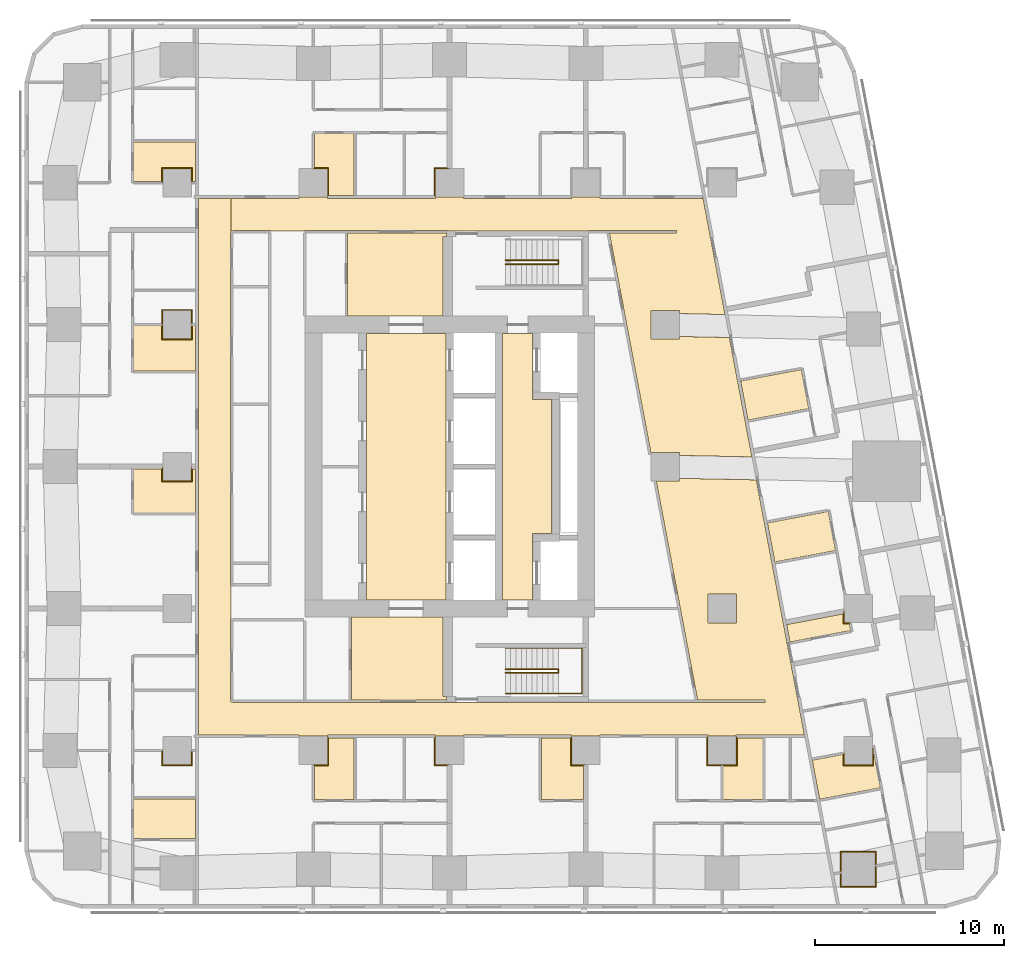
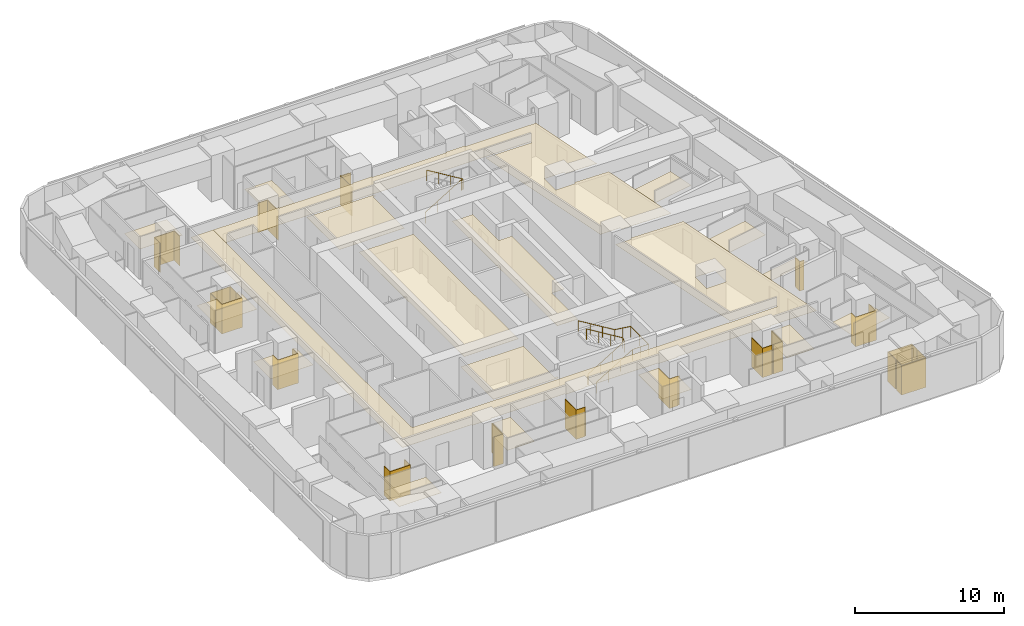
# One storey, part 14 of 15: 34 coverings, 3 railings.
"""IFC4 building model written with IfcOpenShell, lengths in metres."""

from ifc_helpers import new_model, si_unit, direction, frame, origin, origin_2d, place, context, subcontext, project, spatial, polyline, circle, outline, extrude, material, layer, layer_set, type_object, element, save


model = new_model("IFC4")

# Units and contexts
model_context = context("Model", 3, precision=1e-05, world=origin(), true_north=direction((0.0, 1.0)))
body_context = subcontext(model_context, "Body", "Model", "MODEL_VIEW")
ifc_project = project(units=[si_unit("LENGTHUNIT", "METRE"), si_unit("AREAUNIT", "SQUARE_METRE"), si_unit("VOLUMEUNIT", "CUBIC_METRE"), si_unit("PLANEANGLEUNIT", "RADIAN"), si_unit("MASSUNIT", "GRAM", prefix="KILO")], contexts=[model_context])

# Site, building, storey
site_placement = place(None, origin())
site = spatial("IfcSite", under=ifc_project, at=site_placement, CompositionType="ELEMENT")
building_placement = place(site_placement, origin())
building = spatial("IfcBuilding", under=site, at=building_placement, Name="Sheger Commons Tower", CompositionType="ELEMENT")
storey_placement = place(building_placement, frame((0.0, 0.0, 177.050048828125)))
storey = spatial("IfcBuildingStorey", under=building, at=storey_placement, Name="L45", CompositionType="ELEMENT", Elevation=177.050048828125)

# Railings
ifc_material_1 = material(Name="Steel handrail, black powder-coated", Category="steel")
railing_type = type_object("IfcRailingType", Name="HANDRAIL 900", PredefinedType="HANDRAIL", material=ifc_material_1)
railing_1_placement = place(storey_placement, frame((24.550048828125, 11.60009765625, 0.17041015625)))
element("IfcRailing", 1, at=railing_1_placement, inside=storey, type_object=railing_type, Name="Stair S1 handrail L45", PredefinedType="HANDRAIL", context=body_context, shape_type="SweptSolid", body=[
    extrude(circle(Radius=0.02392578125, at=origin_2d()), frame((0.0, 0.0, 0.8759765625), z_axis=(0.854169791009, 0.0, 0.51999420009), x_axis=(0.0, 1.0, 0.0)), (0.0, 0.0, 1.0), 3.278076171875),
    extrude(circle(Radius=0.02392578125, at=origin_2d()), frame((2.800048828125, 0.0, 2.58056640625), z_axis=(0.0, 0.761090297175, 0.648645943136), x_axis=(-1.0, 0.0, 0.0)), (0.0, 0.0, 1.0), 0.2626953125),
    extrude(circle(Radius=0.02392578125, at=origin_2d()), frame((2.800048828125, 0.199951171875, 2.7509765625), z_axis=(-0.854169791009, 0.0, 0.51999420009), x_axis=(0.0, -1.0, 0.0)), (0.0, 0.0, 1.0), 3.278076171875),
    extrude(circle(Radius=0.02099609375, at=origin_2d()), origin(), (0.0, 0.0, 1.0), 0.851806640625),
    extrude(circle(Radius=0.02099609375, at=origin_2d()), frame((0.933349609375, 0.0, 0.568115234375)), (0.0, 0.0, 1.0), 0.851806640625),
    extrude(circle(Radius=0.02099609375, at=origin_2d()), frame((1.86669921875, 0.0, 1.136474609375)), (0.0, 0.0, 1.0), 0.851806640625),
    extrude(circle(Radius=0.02099609375, at=origin_2d()), frame((2.800048828125, 0.0, 1.70458984375)), (0.0, 0.0, 1.0), 0.851806640625),
    extrude(circle(Radius=0.02099609375, at=origin_2d()), frame((2.800048828125, 0.199951171875, 1.875)), (0.0, 0.0, 1.0), 0.851806640625),
    extrude(circle(Radius=0.02099609375, at=origin_2d()), frame((1.86669921875, 0.199951171875, 2.443115234375)), (0.0, 0.0, 1.0), 0.851806640625),
    extrude(circle(Radius=0.02099609375, at=origin_2d()), frame((0.933349609375, 0.199951171875, 3.011474609375)), (0.0, 0.0, 1.0), 0.851806640625),
    extrude(circle(Radius=0.02099609375, at=origin_2d()), frame((0.0, 0.199951171875, 3.57958984375)), (0.0, 0.0, 1.0), 0.851806640625),
])
railing_2_placement = place(storey_placement, frame((24.550048828125, 10.5, 0.17041015625)))
element("IfcRailing", 2, at=railing_2_placement, inside=storey, type_object=railing_type, Name="Stair S1 handrail L45", PredefinedType="HANDRAIL", context=body_context, shape_type="SweptSolid", body=[
    extrude(circle(Radius=0.02392578125, at=origin_2d()), frame((0.0, 0.0, 0.8759765625), z_axis=(0.854169791009, 0.0, 0.51999420009), x_axis=(0.0, 1.0, 0.0)), (0.0, 0.0, 1.0), 3.278076171875),
    extrude(circle(Radius=0.02392578125, at=origin_2d()), frame((2.800048828125, 0.0, 2.58056640625), z_axis=(1.0, 0.0, 0.0), x_axis=(0.0, 1.0, 0.0)), (0.0, 0.0, 1.0), 1.25),
    extrude(circle(Radius=0.02392578125, at=origin_2d()), frame((4.050048828125, 0.0, 2.58056640625), z_axis=(0.0, 1.0, 0.0), x_axis=(-1.0, 0.0, 0.0)), (0.0, 0.0, 1.0), 2.39990234375),
    extrude(circle(Radius=0.02392578125, at=origin_2d()), frame((4.050048828125, 2.39990234375, 2.58056640625), z_axis=(-0.990834877927, 0.0, 0.135078661092), x_axis=(0.0, -1.0, 0.0)), (0.0, 0.0, 1.0), 1.261474609375),
    extrude(circle(Radius=0.02392578125, at=origin_2d()), frame((2.800048828125, 2.39990234375, 2.7509765625), z_axis=(-0.854169791009, 0.0, 0.51999420009), x_axis=(0.0, -1.0, 0.0)), (0.0, 0.0, 1.0), 3.278076171875),
    extrude(circle(Radius=0.02099609375, at=origin_2d()), origin(), (0.0, 0.0, 1.0), 0.851806640625),
    extrude(circle(Radius=0.02099609375, at=origin_2d()), frame((0.933349609375, 0.0, 0.568115234375)), (0.0, 0.0, 1.0), 0.851806640625),
    extrude(circle(Radius=0.02099609375, at=origin_2d()), frame((1.86669921875, 0.0, 1.136474609375)), (0.0, 0.0, 1.0), 0.851806640625),
    extrude(circle(Radius=0.02099609375, at=origin_2d()), frame((2.800048828125, 0.0, 1.70458984375)), (0.0, 0.0, 1.0), 0.851806640625),
    extrude(circle(Radius=0.02099609375, at=origin_2d()), frame((3.425048828125, 0.0, 1.70458984375)), (0.0, 0.0, 1.0), 0.851806640625),
    extrude(circle(Radius=0.02099609375, at=origin_2d()), frame((4.050048828125, 0.0, 1.70458984375)), (0.0, 0.0, 1.0), 0.851806640625),
    extrude(circle(Radius=0.02099609375, at=origin_2d()), frame((4.050048828125, 1.199951171875, 1.70458984375)), (0.0, 0.0, 1.0), 0.851806640625),
    extrude(circle(Radius=0.02099609375, at=origin_2d()), frame((4.050048828125, 2.39990234375, 1.70458984375)), (0.0, 0.0, 1.0), 0.851806640625),
    extrude(circle(Radius=0.02099609375, at=origin_2d()), frame((3.425048828125, 2.39990234375, 1.789794921875)), (0.0, 0.0, 1.0), 0.851806640625),
    extrude(circle(Radius=0.02099609375, at=origin_2d()), frame((2.800048828125, 2.39990234375, 1.875)), (0.0, 0.0, 1.0), 0.851806640625),
    extrude(circle(Radius=0.02099609375, at=origin_2d()), frame((1.86669921875, 2.39990234375, 2.443115234375)), (0.0, 0.0, 1.0), 0.851806640625),
    extrude(circle(Radius=0.02099609375, at=origin_2d()), frame((0.933349609375, 2.39990234375, 3.011474609375)), (0.0, 0.0, 1.0), 0.851806640625),
    extrude(circle(Radius=0.02099609375, at=origin_2d()), frame((0.0, 2.39990234375, 3.57958984375)), (0.0, 0.0, 1.0), 0.851806640625),
])
railing_3_placement = place(storey_placement, frame((24.550048828125, 33.39990234375, 0.17041015625)))
element("IfcRailing", 3, at=railing_3_placement, inside=storey, type_object=railing_type, Name="Stair S2 handrail L45", PredefinedType="HANDRAIL", context=body_context, shape_type="SweptSolid", body=[
    extrude(circle(Radius=0.02392578125, at=origin_2d()), frame((0.0, 0.0, 0.8759765625), z_axis=(0.854169791009, 0.0, 0.51999420009), x_axis=(0.0, 1.0, 0.0)), (0.0, 0.0, 1.0), 3.278076171875),
    extrude(circle(Radius=0.02392578125, at=origin_2d()), frame((2.800048828125, 0.0, 2.58056640625), z_axis=(0.0, -0.761090297175, 0.648645943136), x_axis=(1.0, 0.0, 0.0)), (0.0, 0.0, 1.0), 0.2626953125),
    extrude(circle(Radius=0.02392578125, at=origin_2d()), frame((2.800048828125, -0.199951171875, 2.7509765625), z_axis=(-0.854169791009, 0.0, 0.51999420009), x_axis=(0.0, -1.0, 0.0)), (0.0, 0.0, 1.0), 3.278076171875),
    extrude(circle(Radius=0.02099609375, at=origin_2d()), origin(), (0.0, 0.0, 1.0), 0.851806640625),
    extrude(circle(Radius=0.02099609375, at=origin_2d()), frame((0.933349609375, 0.0, 0.568115234375)), (0.0, 0.0, 1.0), 0.851806640625),
    extrude(circle(Radius=0.02099609375, at=origin_2d()), frame((1.86669921875, 0.0, 1.136474609375)), (0.0, 0.0, 1.0), 0.851806640625),
    extrude(circle(Radius=0.02099609375, at=origin_2d()), frame((2.800048828125, 0.0, 1.70458984375)), (0.0, 0.0, 1.0), 0.851806640625),
    extrude(circle(Radius=0.02099609375, at=origin_2d()), frame((2.800048828125, -0.199951171875, 1.875)), (0.0, 0.0, 1.0), 0.851806640625),
    extrude(circle(Radius=0.02099609375, at=origin_2d()), frame((1.86669921875, -0.199951171875, 2.443115234375)), (0.0, 0.0, 1.0), 0.851806640625),
    extrude(circle(Radius=0.02099609375, at=origin_2d()), frame((0.933349609375, -0.199951171875, 3.011474609375)), (0.0, 0.0, 1.0), 0.851806640625),
    extrude(circle(Radius=0.02099609375, at=origin_2d()), frame((0.0, -0.199951171875, 3.57958984375)), (0.0, 0.0, 1.0), 0.851806640625),
])

# Coverings
ifc_material_2 = material(Name="Moisture-resistant gypsum plasterboard 15 mm on a suspended galvanised steel grid", Category="steel")
ifc_layer_1 = layer(ifc_material_2, 0.014892578125)
ifc_layer_set_1 = layer_set([ifc_layer_1], Name="MOISTURE-RESISTANT CEILING 15")
covering_type_1 = type_object("IfcCoveringType", Name="MOISTURE-RESISTANT CEILING 15", PredefinedType="CEILING", material=ifc_layer_set_1)
covering_1_placement = place(storey_placement, frame((0.0, 0.0, 2.39990234375)))
element("IfcCovering", 4, at=covering_1_placement, inside=storey, type_object=covering_type_1, Name="L45-01.B3 ceiling", PredefinedType="CEILING", context=body_context, shape_type="SweptSolid", body=[
    extrude(outline(polyline([(4.905029296875, 2.843994140625), (8.169921875, 2.843994140625), (8.169921875, 4.944091796875), (4.905029296875, 4.944091796875), (4.905029296875, 2.843994140625)])), origin(), (0.0, 0.0, 1.0), 0.01513671875),
])
covering_2_placement = place(storey_placement, frame((0.0, 0.0, 2.39990234375)))
element("IfcCovering", 5, at=covering_2_placement, inside=storey, type_object=covering_type_1, Name="L45-02.B1 ceiling", PredefinedType="CEILING", context=body_context, shape_type="SweptSolid", body=[
    extrude(outline(polyline([(4.905029296875, 20.053955078125), (8.169921875, 20.053955078125), (8.169921875, 22.3701171875), (7.955078125, 22.3701171875), (7.955078125, 21.7451171875), (6.445068359375, 21.7451171875), (6.445068359375, 22.3701171875), (4.905029296875, 22.3701171875), (4.905029296875, 20.053955078125)])), origin(), (0.0, 0.0, 1.0), 0.01513671875),
])
covering_3_placement = place(storey_placement, frame((0.0, 0.0, 2.39990234375)))
element("IfcCovering", 6, at=covering_3_placement, inside=storey, type_object=covering_type_1, Name="L45-03.B1 ceiling", PredefinedType="CEILING", context=body_context, shape_type="SweptSolid", body=[
    extrude(outline(polyline([(4.905029296875, 27.553955078125), (8.169921875, 27.553955078125), (8.169921875, 29.945068359375), (7.955078125, 29.945068359375), (7.955078125, 29.2451171875), (6.445068359375, 29.2451171875), (6.445068359375, 29.945068359375), (4.905029296875, 29.945068359375), (4.905029296875, 27.553955078125)])), origin(), (0.0, 0.0, 1.0), 0.01513671875),
])
covering_4_placement = place(storey_placement, frame((0.0, 0.0, 2.39990234375)))
element("IfcCovering", 7, at=covering_4_placement, inside=storey, type_object=covering_type_1, Name="L45-04.B1 ceiling", PredefinedType="CEILING", context=body_context, shape_type="SweptSolid", body=[
    extrude(outline(polyline([(4.905029296875, 37.554931640625), (6.445068359375, 37.554931640625), (6.445068359375, 38.2548828125), (7.955078125, 38.2548828125), (7.955078125, 37.554931640625), (8.169921875, 37.554931640625), (8.169921875, 39.655029296875), (4.905029296875, 39.655029296875), (4.905029296875, 37.554931640625)])), origin(), (0.0, 0.0, 1.0), 0.01513671875),
])
covering_5_placement = place(storey_placement, frame((0.0, 0.0, 2.39990234375)))
element("IfcCovering", 8, at=covering_5_placement, inside=storey, type_object=covering_type_1, Name="L45-05.B1 ceiling", PredefinedType="CEILING", context=body_context, shape_type="SweptSolid", body=[
    extrude(outline(polyline([(14.455078125, 4.905029296875), (16.554931640625, 4.905029296875), (16.554931640625, 8.169921875), (15.155029296875, 8.169921875), (15.155029296875, 6.7451171875), (14.455078125, 6.7451171875), (14.455078125, 4.905029296875)])), origin(), (0.0, 0.0, 1.0), 0.01513671875),
])
covering_6_placement = place(storey_placement, frame((0.0, 0.0, 2.39990234375)))
element("IfcCovering", 9, at=covering_6_placement, inside=storey, type_object=covering_type_1, Name="L45-06.B1 ceiling", PredefinedType="CEILING", context=body_context, shape_type="SweptSolid", body=[
    extrude(outline(polyline([(26.4541015625, 4.905029296875), (28.669921875, 4.905029296875), (28.669921875, 6.7451171875), (28.044921875, 6.7451171875), (28.044921875, 8.169921875), (26.4541015625, 8.169921875), (26.4541015625, 4.905029296875)])), origin(), (0.0, 0.0, 1.0), 0.01513671875),
])
covering_7_placement = place(storey_placement, frame((0.0, 0.0, 2.39990234375)))
element("IfcCovering", 10, at=covering_7_placement, inside=storey, type_object=covering_type_1, Name="L45-07.B2 ceiling", PredefinedType="CEILING", context=body_context, shape_type="SweptSolid", body=[
    extrude(outline(polyline([(36.054931640625, 4.905029296875), (38.155029296875, 4.905029296875), (38.155029296875, 8.169921875), (36.7548828125, 8.169921875), (36.7548828125, 6.7451171875), (36.054931640625, 6.7451171875), (36.054931640625, 4.905029296875)])), origin(), (0.0, 0.0, 1.0), 0.01513671875),
])
covering_8_placement = place(storey_placement, frame((0.0, 0.0, 2.39990234375)))
element("IfcCovering", 11, at=covering_8_placement, inside=storey, type_object=covering_type_1, Name="L45-09.B1 ceiling", PredefinedType="CEILING", context=body_context, shape_type="SweptSolid", body=[
    extrude(outline(polyline([(37.37109375, 24.958984375), (40.5791015625, 25.56494140625), (40.18896484375, 27.62890625), (36.98193359375, 27.02294921875), (37.37109375, 24.958984375)])), origin(), (0.0, 0.0, 1.0), 0.01513671875),
])
covering_9_placement = place(storey_placement, frame((0.0, 0.0, 2.39990234375)))
element("IfcCovering", 12, at=covering_9_placement, inside=storey, type_object=covering_type_1, Name="L45-10.B1 ceiling", PredefinedType="CEILING", context=body_context, shape_type="SweptSolid", body=[
    extrude(outline(polyline([(38.7880859375, 17.4599609375), (41.99609375, 18.06494140625), (41.60595703125, 20.12890625), (38.39794921875, 19.52294921875), (38.7880859375, 17.4599609375)])), origin(), (0.0, 0.0, 1.0), 0.01513671875),
])
covering_10_placement = place(storey_placement, frame((0.0, 0.0, 2.39990234375)))
element("IfcCovering", 13, at=covering_10_placement, inside=storey, type_object=covering_type_1, Name="L45-11.B1 ceiling", PredefinedType="CEILING", context=body_context, shape_type="SweptSolid", body=[
    extrude(outline(polyline([(39.5859375, 13.23193359375), (42.794921875, 13.837890625), (42.719970703125, 14.235107421875), (42.762939453125, 14.242919921875), (42.762939453125, 14.2451171875), (42.445068359375, 14.2451171875), (42.445068359375, 14.72509765625), (39.4130859375, 14.152099609375), (39.5859375, 13.23193359375)])), origin(), (0.0, 0.0, 1.0), 0.01513671875),
])
covering_11_placement = place(storey_placement, frame((0.0, 0.0, 2.39990234375)))
element("IfcCovering", 14, at=covering_11_placement, inside=storey, type_object=covering_type_1, Name="L45-12.B1 ceiling", PredefinedType="CEILING", context=body_context, shape_type="SweptSolid", body=[
    extrude(outline(polyline([(41.156005859375, 4.9208984375), (44.364013671875, 5.527099609375), (43.964111328125, 7.64501953125), (43.955078125, 7.64306640625), (43.955078125, 6.7451171875), (42.445068359375, 6.7451171875), (42.445068359375, 7.302001953125), (40.76611328125, 6.985107421875), (41.156005859375, 4.9208984375)])), origin(), (0.0, 0.0, 1.0), 0.01513671875),
])
covering_12_placement = place(storey_placement, frame((0.0, 0.0, 2.39990234375)))
element("IfcCovering", 15, at=covering_12_placement, inside=storey, type_object=covering_type_1, Name="L45-13.B1 ceiling", PredefinedType="CEILING", context=body_context, shape_type="SweptSolid", body=[
    extrude(outline(polyline([(15.155029296875, 36.830078125), (16.554931640625, 36.830078125), (16.554931640625, 40.094970703125), (14.455078125, 40.094970703125), (14.455078125, 38.2548828125), (15.155029296875, 38.2548828125), (15.155029296875, 36.830078125)])), origin(), (0.0, 0.0, 1.0), 0.01513671875),
])
ifc_material_3 = material(Name="Gypsum plasterboard 15 mm on a suspended steel grid", Category="steel")
ifc_layer_2 = layer(ifc_material_3, 0.014892578125)
ifc_layer_set_2 = layer_set([ifc_layer_2], Name="SUSPENDED CEILING 15")
covering_type_2 = type_object("IfcCoveringType", Name="SUSPENDED CEILING 15", PredefinedType="CEILING", material=ifc_layer_set_2)
covering_13_placement = place(storey_placement, frame((0.0, 0.0, 2.699951171875)))
element("IfcCovering", 16, at=covering_13_placement, inside=storey, type_object=covering_type_2, Name="L45-CO ceiling", PredefinedType="CEILING", context=body_context, shape_type="SweptSolid", body=[
    extrude(outline(polyline([(13.654052734375, 8.2548828125), (15.14599609375, 8.2548828125), (15.14599609375, 8.330078125), (20.85400390625, 8.330078125), (20.85400390625, 8.2548828125), (22.345947265625, 8.2548828125), (22.345947265625, 8.330078125), (28.053955078125, 8.330078125), (28.053955078125, 8.2548828125), (29.5458984375, 8.2548828125), (29.5458984375, 8.330078125), (35.25390625, 8.330078125), (35.25390625, 8.2548828125), (36.74609375, 8.2548828125), (36.74609375, 8.330078125), (40.35009765625, 8.330078125), (37.805908203125, 21.798095703125), (33.7548828125, 21.8798828125), (33.7548828125, 21.7451171875), (32.52099609375, 21.7451171875), (34.705078125, 10.181884765625), (34.66796875, 10.175048828125), (34.669921875, 10.16796875), (38.27001953125, 10.16796875), (38.27001953125, 10.031982421875), (28.945068359375, 10.031982421875), (28.945068359375, 10.044921875), (21.455078125, 10.044921875), (21.455078125, 10.031982421875), (10.156982421875, 10.031982421875), (10.156982421875, 10.050048828125), (10.050048828125, 10.050048828125), (10.050048828125, 10.156982421875), (10.031982421875, 10.156982421875), (10.031982421875, 14.455078125), (10.050048828125, 14.455078125), (10.050048828125, 16.195068359375), (10.031982421875, 16.195068359375), (10.031982421875, 34.843017578125), (10.050048828125, 34.843017578125), (10.050048828125, 34.947998046875), (10.048095703125, 34.947998046875), (10.048095703125, 36.669921875), (8.330078125, 36.669921875), (8.330078125, 8.330078125), (13.654052734375, 8.330078125), (13.654052734375, 8.2548828125)]), holes=[polyline([(36.7548828125, 15.7548828125), (36.7548828125, 14.2451171875), (35.2451171875, 14.2451171875), (35.2451171875, 15.7548828125), (36.7548828125, 15.7548828125)])]), origin(), (0.0, 0.0, 1.0), 0.014892578125),
])
covering_14_placement = place(storey_placement, frame((0.0, 0.0, 2.699951171875)))
element("IfcCovering", 17, at=covering_14_placement, inside=storey, type_object=covering_type_2, Name="L45-CO ceiling", PredefinedType="CEILING", context=body_context, shape_type="SweptSolid", body=[
    extrude(outline(polyline([(37.575927734375, 23.011962890625), (36.385009765625, 29.318115234375), (33.7548828125, 29.3779296875), (33.7548828125, 29.2451171875), (32.2451171875, 29.2451171875), (32.2451171875, 30.7548828125), (33.7548828125, 30.7548828125), (33.7548828125, 30.587890625), (36.156005859375, 30.533935546875), (34.98193359375, 36.75), (34.97802734375, 36.75), (34.97802734375, 36.669921875), (33.572998046875, 36.669921875), (33.568115234375, 34.969970703125), (33.568115234375, 36.669921875), (29.5458984375, 36.669921875), (29.5458984375, 36.7451171875), (28.053955078125, 36.7451171875), (28.053955078125, 36.669921875), (22.345947265625, 36.669921875), (22.345947265625, 36.7451171875), (20.85400390625, 36.7451171875), (20.85400390625, 36.669921875), (15.14599609375, 36.669921875), (15.14599609375, 36.7451171875), (13.654052734375, 36.7451171875), (13.654052734375, 36.669921875), (10.052978515625, 36.669921875), (10.052978515625, 34.949951171875), (10.156982421875, 34.949951171875), (10.156982421875, 34.968017578125), (12.155029296875, 34.968017578125), (12.155029296875, 34.949951171875), (13.945068359375, 34.949951171875), (13.945068359375, 34.968017578125), (21.455078125, 34.968017578125), (21.455078125, 34.949951171875), (28.945068359375, 34.949951171875), (28.945068359375, 34.968017578125), (33.568115234375, 34.968017578125), (33.5849609375, 34.968017578125), (33.5849609375, 34.83203125), (30.048095703125, 34.83203125), (32.242919921875, 23.214111328125), (32.2451171875, 23.214111328125), (32.2451171875, 23.2548828125), (33.7548828125, 23.2548828125), (33.7548828125, 23.090087890625), (37.575927734375, 23.011962890625)])), origin(), (0.0, 0.0, 1.0), 0.014892578125),
])
covering_15_placement = place(storey_placement, frame((0.0, 0.0, 2.699951171875)))
element("IfcCovering", 18, at=covering_15_placement, inside=storey, type_object=covering_type_2, Name="L45-SVS1 ceiling", PredefinedType="CEILING", context=body_context, shape_type="SweptSolid", body=[
    extrude(outline(polyline([(16.406982421875, 10.16796875), (21.445068359375, 10.16796875), (21.445068359375, 10.344970703125), (21.2451171875, 10.344970703125), (21.2451171875, 14.544921875), (16.406982421875, 14.544921875), (16.406982421875, 10.16796875)])), origin(), (0.0, 0.0, 1.0), 0.014892578125),
])
covering_16_placement = place(storey_placement, frame((0.0, 0.0, 2.699951171875)))
element("IfcCovering", 19, at=covering_16_placement, inside=storey, type_object=covering_type_2, Name="L45-SVN1 ceiling", PredefinedType="CEILING", context=body_context, shape_type="SweptSolid", body=[
    extrude(outline(polyline([(16.217041015625, 30.455078125), (21.2451171875, 30.455078125), (21.2451171875, 34.655029296875), (21.445068359375, 34.655029296875), (21.445068359375, 34.83203125), (16.217041015625, 34.83203125), (16.217041015625, 30.455078125)])), origin(), (0.0, 0.0, 1.0), 0.014892578125),
])
covering_17_placement = place(storey_placement, frame((0.0, 0.0, 2.699951171875)))
element("IfcCovering", 20, at=covering_17_placement, inside=storey, type_object=covering_type_2, Name="L45-LL ceiling", PredefinedType="CEILING", context=body_context, shape_type="SweptSolid", body=[
    extrude(outline(polyline([(17.205078125, 15.455078125), (21.39990234375, 15.455078125), (21.39990234375, 29.544921875), (17.205078125, 29.544921875), (17.205078125, 15.455078125)])), origin(), (0.0, 0.0, 1.0), 0.014892578125),
])
covering_18_placement = place(storey_placement, frame((0.0, 0.0, 2.699951171875)))
element("IfcCovering", 21, at=covering_18_placement, inside=storey, type_object=covering_type_2, Name="L45-FL ceiling", PredefinedType="CEILING", context=body_context, shape_type="SweptSolid", body=[
    extrude(outline(polyline([(24.405029296875, 15.455078125), (25.9951171875, 15.455078125), (25.9951171875, 18.955078125), (26.9951171875, 18.955078125), (26.9951171875, 26.044921875), (25.9951171875, 26.044921875), (25.9951171875, 29.544921875), (24.405029296875, 29.544921875), (24.405029296875, 15.455078125)])), origin(), (0.0, 0.0, 1.0), 0.014892578125),
])
ifc_material_4 = material(Name="Moisture-resistant gypsum board 12.5 mm on 25 mm treated timber battens, tanked and tiled", Category="wood")
ifc_layer_3 = layer(ifc_material_4, 0.050048828125)
ifc_layer_set_3 = layer_set([ifc_layer_3], Name="WET-ROOM COLUMN LINING")
covering_type_3 = type_object("IfcCoveringType", Name="WET-ROOM COLUMN LINING", PredefinedType="CLADDING", material=ifc_layer_set_3)
covering_19_placement = place(storey_placement, origin())
element("IfcCovering", 22, at=covering_19_placement, inside=storey, type_object=covering_type_3, Name="Laundry room column lining C8 L45", PredefinedType="CLADDING", context=body_context, shape_type="SweptSolid", body=[
    extrude(outline(polyline([(44.14990234375, 2.175048828125), (44.14990234375, 1.455078125), (44.10107421875, 1.446044921875), (44.110107421875, 1.39697265625), (44.10009765625, 1.39501953125), (44.10009765625, 2.125), (42.300048828125, 2.125), (42.300048828125, 1.054931640625), (42.2900390625, 1.052978515625), (42.281005859375, 1.10205078125), (42.25, 1.095947265625), (42.25, 2.175048828125), (44.14990234375, 2.175048828125)])), origin(), (0.0, 0.0, 1.0), 2.39990234375),
])
covering_20_placement = place(storey_placement, origin())
element("IfcCovering", 23, at=covering_20_placement, inside=storey, type_object=covering_type_3, Name="Laundry room column lining C8 L45", PredefinedType="CLADDING", context=body_context, shape_type="SweptSolid", body=[
    extrude(outline(polyline([(42.300048828125, 1.054931640625), (42.300048828125, 0.324951171875), (44.10009765625, 0.324951171875), (44.10009765625, 1.39501953125), (44.110107421875, 1.39697265625), (44.118896484375, 1.347900390625), (44.14990234375, 1.35400390625), (44.14990234375, 0.27490234375), (42.25, 0.27490234375), (42.25, 0.9951171875), (42.299072265625, 1.00390625), (42.2900390625, 1.052978515625), (42.300048828125, 1.054931640625)])), origin(), (0.0, 0.0, 1.0), 2.39990234375),
])
covering_21_placement = place(storey_placement, origin())
element("IfcCovering", 24, at=covering_21_placement, inside=storey, type_object=covering_type_3, Name="Laundry room column lining C10 L45", PredefinedType="CLADDING", context=body_context, shape_type="SweptSolid", body=[
    extrude(outline(polyline([(6.449951171875, 7.5), (6.449951171875, 6.75), (7.949951171875, 6.75), (7.949951171875, 7.5), (7.950927734375, 7.5), (7.950927734375, 7.449951171875), (8.0, 7.449951171875), (8.0, 6.699951171875), (6.39990234375, 6.699951171875), (6.39990234375, 7.449951171875), (6.448974609375, 7.449951171875), (6.448974609375, 7.5), (6.449951171875, 7.5)])), origin(), (0.0, 0.0, 1.0), 2.39990234375),
])
covering_22_placement = place(storey_placement, origin())
element("IfcCovering", 25, at=covering_22_placement, inside=storey, type_object=covering_type_3, Name="Bathroom column lining C10 L45", PredefinedType="CLADDING", context=body_context, shape_type="SweptSolid", body=[
    extrude(outline(polyline([(14.449951171875, 6.699951171875), (14.449951171875, 6.7490234375), (14.39990234375, 6.7490234375), (14.39990234375, 6.75), (15.14990234375, 6.75), (15.14990234375, 8.25), (15.15087890625, 8.25), (15.15087890625, 8.175048828125), (15.199951171875, 8.175048828125), (15.199951171875, 6.699951171875), (14.449951171875, 6.699951171875)])), origin(), (0.0, 0.0, 1.0), 2.39990234375),
])
covering_23_placement = place(storey_placement, origin())
element("IfcCovering", 26, at=covering_23_placement, inside=storey, type_object=covering_type_3, Name="Laundry room column lining C10 L45", PredefinedType="CLADDING", context=body_context, shape_type="SweptSolid", body=[
    extrude(outline(polyline([(20.85009765625, 8.25), (20.85009765625, 6.75), (21.60009765625, 6.75), (21.60009765625, 6.7490234375), (21.47509765625, 6.7490234375), (21.47509765625, 6.699951171875), (20.800048828125, 6.699951171875), (20.800048828125, 8.175048828125), (20.84912109375, 8.175048828125), (20.84912109375, 8.25), (20.85009765625, 8.25)])), origin(), (0.0, 0.0, 1.0), 2.39990234375),
])
covering_24_placement = place(storey_placement, origin())
element("IfcCovering", 27, at=covering_24_placement, inside=storey, type_object=covering_type_3, Name="Bathroom column lining C10 L45", PredefinedType="CLADDING", context=body_context, shape_type="SweptSolid", body=[
    extrude(outline(polyline([(28.050048828125, 8.25), (28.050048828125, 6.75), (28.800048828125, 6.75), (28.800048828125, 6.7490234375), (28.675048828125, 6.7490234375), (28.675048828125, 6.699951171875), (28.0, 6.699951171875), (28.0, 8.175048828125), (28.049072265625, 8.175048828125), (28.049072265625, 8.25), (28.050048828125, 8.25)])), origin(), (0.0, 0.0, 1.0), 2.39990234375),
])
covering_25_placement = place(storey_placement, origin())
element("IfcCovering", 28, at=covering_25_placement, inside=storey, type_object=covering_type_3, Name="Laundry room column lining C10 L45", PredefinedType="CLADDING", context=body_context, shape_type="SweptSolid", body=[
    extrude(outline(polyline([(35.25, 8.25), (35.25, 6.75), (36.0, 6.75), (36.0, 6.7490234375), (35.949951171875, 6.7490234375), (35.949951171875, 6.699951171875), (35.199951171875, 6.699951171875), (35.199951171875, 8.175048828125), (35.2490234375, 8.175048828125), (35.2490234375, 8.25), (35.25, 8.25)])), origin(), (0.0, 0.0, 1.0), 2.39990234375),
])
covering_26_placement = place(storey_placement, origin())
element("IfcCovering", 29, at=covering_26_placement, inside=storey, type_object=covering_type_3, Name="Bathroom column lining C10 L45", PredefinedType="CLADDING", context=body_context, shape_type="SweptSolid", body=[
    extrude(outline(polyline([(36.050048828125, 6.699951171875), (36.050048828125, 6.7490234375), (36.0, 6.7490234375), (36.0, 6.75), (36.75, 6.75), (36.75, 8.25), (36.7509765625, 8.25), (36.7509765625, 8.175048828125), (36.800048828125, 8.175048828125), (36.800048828125, 6.699951171875), (36.050048828125, 6.699951171875)])), origin(), (0.0, 0.0, 1.0), 2.39990234375),
])
covering_27_placement = place(storey_placement, origin())
element("IfcCovering", 30, at=covering_27_placement, inside=storey, type_object=covering_type_3, Name="Bathroom column lining C10 L45", PredefinedType="CLADDING", context=body_context, shape_type="SweptSolid", body=[
    extrude(outline(polyline([(42.449951171875, 7.35888671875), (42.449951171875, 6.75), (43.949951171875, 6.75), (43.949951171875, 7.64208984375), (43.968994140625, 7.64599609375), (44.0, 7.47998046875), (44.0, 6.699951171875), (42.39990234375, 6.699951171875), (42.39990234375, 7.299072265625), (42.448974609375, 7.30810546875), (42.43994140625, 7.35693359375), (42.449951171875, 7.35888671875)])), origin(), (0.0, 0.0, 1.0), 2.39990234375),
])
covering_28_placement = place(storey_placement, origin())
element("IfcCovering", 31, at=covering_28_placement, inside=storey, type_object=covering_type_3, Name="Shower room column lining C10 L45", PredefinedType="CLADDING", context=body_context, shape_type="SweptSolid", body=[
    extrude(outline(polyline([(42.449951171875, 14.85791015625), (42.449951171875, 14.25), (42.77294921875, 14.25), (42.77490234375, 14.239990234375), (42.72607421875, 14.23095703125), (42.73193359375, 14.199951171875), (42.39990234375, 14.199951171875), (42.39990234375, 14.721923828125), (42.448974609375, 14.73095703125), (42.426025390625, 14.85302734375), (42.449951171875, 14.85791015625)])), origin(), (0.0, 0.0, 1.0), 2.39990234375),
])
covering_29_placement = place(storey_placement, origin())
element("IfcCovering", 32, at=covering_29_placement, inside=storey, type_object=covering_type_3, Name="Bathroom column lining C10 L45", PredefinedType="CLADDING", context=body_context, shape_type="SweptSolid", body=[
    extrude(outline(polyline([(6.449951171875, 22.5), (6.449951171875, 21.75), (7.949951171875, 21.75), (7.949951171875, 22.5), (7.950927734375, 22.5), (7.950927734375, 22.375), (8.0, 22.375), (8.0, 21.699951171875), (6.39990234375, 21.699951171875), (6.39990234375, 22.375), (6.448974609375, 22.375), (6.448974609375, 22.5), (6.449951171875, 22.5)])), origin(), (0.0, 0.0, 1.0), 2.39990234375),
])
covering_30_placement = place(storey_placement, origin())
element("IfcCovering", 33, at=covering_30_placement, inside=storey, type_object=covering_type_3, Name="Bathroom column lining C10 L45", PredefinedType="CLADDING", context=body_context, shape_type="SweptSolid", body=[
    extrude(outline(polyline([(6.449951171875, 30.0), (6.449951171875, 29.25), (7.949951171875, 29.25), (7.949951171875, 30.0), (7.950927734375, 30.0), (7.950927734375, 29.949951171875), (8.0, 29.949951171875), (8.0, 29.199951171875), (6.39990234375, 29.199951171875), (6.39990234375, 29.949951171875), (6.448974609375, 29.949951171875), (6.448974609375, 30.0), (6.449951171875, 30.0)])), origin(), (0.0, 0.0, 1.0), 2.39990234375),
])
covering_31_placement = place(storey_placement, origin())
element("IfcCovering", 34, at=covering_31_placement, inside=storey, type_object=covering_type_3, Name="Laundry room column lining C10 L45", PredefinedType="CLADDING", context=body_context, shape_type="SweptSolid", body=[
    extrude(outline(polyline([(8.0, 30.800048828125), (8.0, 30.050048828125), (7.950927734375, 30.050048828125), (7.950927734375, 30.0), (7.949951171875, 30.0), (7.949951171875, 30.75), (6.449951171875, 30.75), (6.449951171875, 30.0), (6.448974609375, 30.0), (6.448974609375, 30.050048828125), (6.39990234375, 30.050048828125), (6.39990234375, 30.800048828125), (8.0, 30.800048828125)])), origin(), (0.0, 0.0, 1.0), 2.39990234375),
])
covering_32_placement = place(storey_placement, origin())
element("IfcCovering", 35, at=covering_32_placement, inside=storey, type_object=covering_type_3, Name="Bathroom column lining C10 L45", PredefinedType="CLADDING", context=body_context, shape_type="SweptSolid", body=[
    extrude(outline(polyline([(8.0, 38.300048828125), (8.0, 37.550048828125), (7.950927734375, 37.550048828125), (7.950927734375, 37.5), (7.949951171875, 37.5), (7.949951171875, 38.25), (6.449951171875, 38.25), (6.449951171875, 37.5), (6.448974609375, 37.5), (6.448974609375, 37.550048828125), (6.39990234375, 37.550048828125), (6.39990234375, 38.300048828125), (8.0, 38.300048828125)])), origin(), (0.0, 0.0, 1.0), 2.39990234375),
])
covering_33_placement = place(storey_placement, origin())
element("IfcCovering", 36, at=covering_33_placement, inside=storey, type_object=covering_type_3, Name="Bathroom column lining C10 L45", PredefinedType="CLADDING", context=body_context, shape_type="SweptSolid", body=[
    extrude(outline(polyline([(15.199951171875, 36.824951171875), (15.15087890625, 36.824951171875), (15.15087890625, 36.75), (15.14990234375, 36.75), (15.14990234375, 38.25), (14.39990234375, 38.25), (14.39990234375, 38.2509765625), (14.449951171875, 38.2509765625), (14.449951171875, 38.300048828125), (15.199951171875, 38.300048828125), (15.199951171875, 36.824951171875)])), origin(), (0.0, 0.0, 1.0), 2.39990234375),
])
covering_34_placement = place(storey_placement, origin())
element("IfcCovering", 37, at=covering_34_placement, inside=storey, type_object=covering_type_3, Name="Laundry room column lining C10 L45", PredefinedType="CLADDING", context=body_context, shape_type="SweptSolid", body=[
    extrude(outline(polyline([(21.47509765625, 38.300048828125), (21.47509765625, 38.2509765625), (21.60009765625, 38.2509765625), (21.60009765625, 38.25), (20.85009765625, 38.25), (20.85009765625, 36.75), (20.84912109375, 36.75), (20.84912109375, 36.824951171875), (20.800048828125, 36.824951171875), (20.800048828125, 38.300048828125), (21.47509765625, 38.300048828125)])), origin(), (0.0, 0.0, 1.0), 2.39990234375),
])

save(model, "model.ifc")
